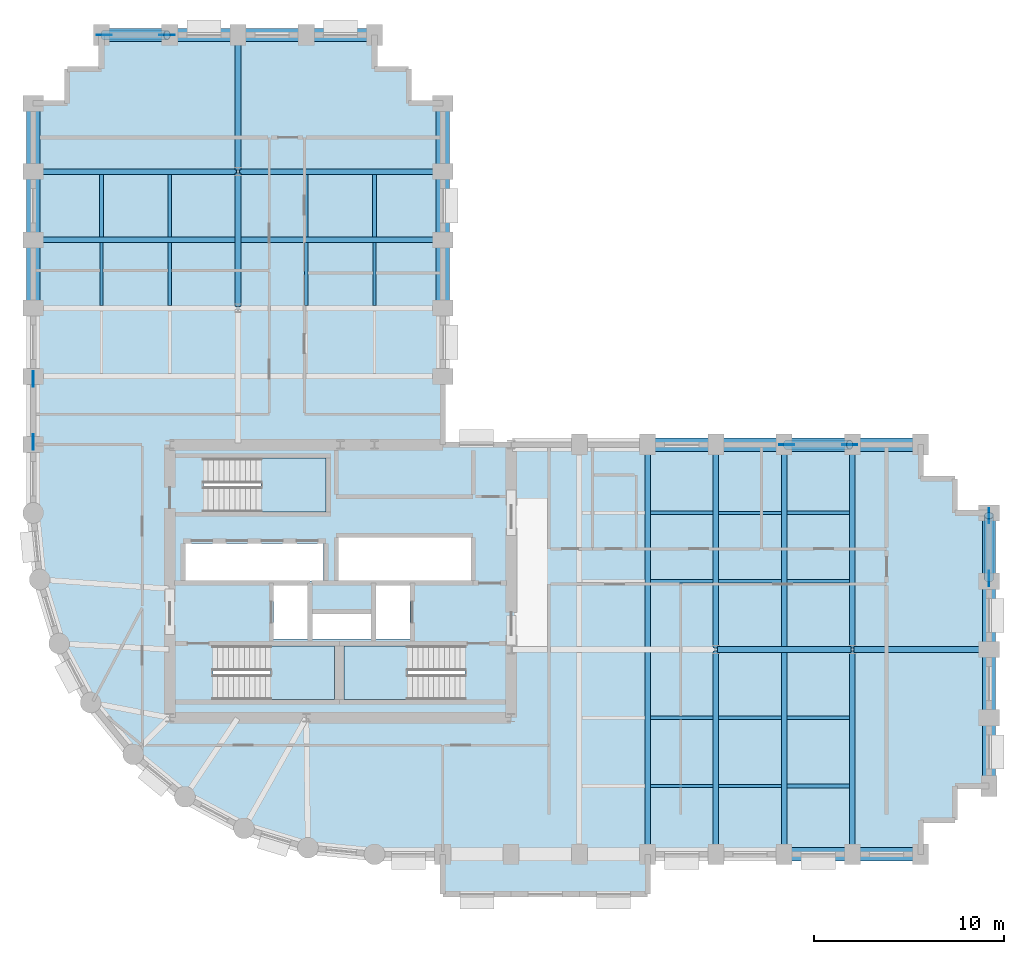
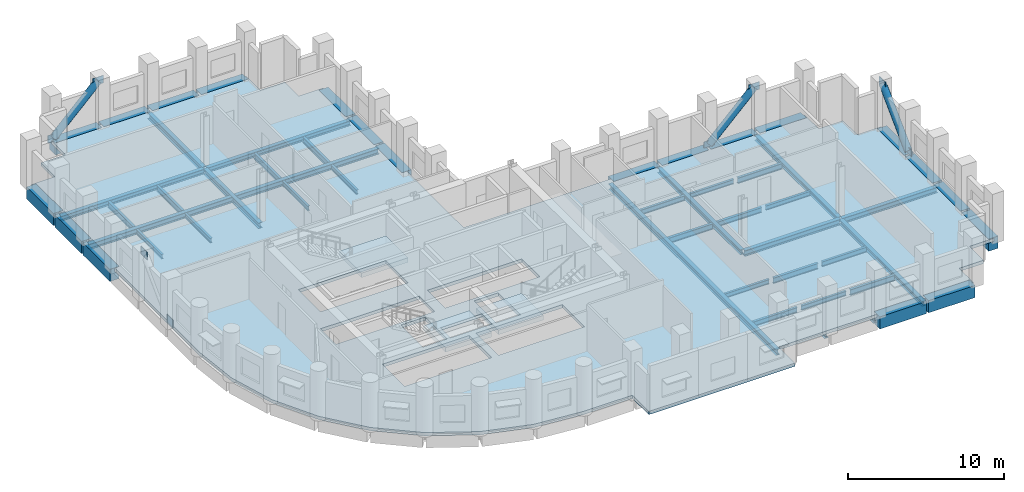
# One storey, part 2 of 10: 53 beams, 8 plates, 4 slabs, 3 members, 3 elements without a shape of their own.
"""IFC4 building model written with IfcOpenShell, lengths in metres."""

from ifc_helpers import new_model, si_unit, direction, frame, origin, origin_2d, place, context, subcontext, project, spatial, polyline, rectangle, hollow_circle, i_section, outline, extrude, material, layer, layer_set, material_profile, profile_set, type_object, element, aggregate, save


model = new_model("IFC4")

# Units and contexts
model_context = context("Model", 3, precision=1e-05, world=origin(), true_north=direction((0.0, 1.0)))
body_context = subcontext(model_context, "Body", "Model", "MODEL_VIEW")
ifc_project = project(units=[si_unit("LENGTHUNIT", "METRE"), si_unit("AREAUNIT", "SQUARE_METRE"), si_unit("VOLUMEUNIT", "CUBIC_METRE"), si_unit("PLANEANGLEUNIT", "RADIAN"), si_unit("MASSUNIT", "GRAM", prefix="KILO")], contexts=[model_context])

# Site, building, storey
site_placement = place(None, origin())
site = spatial("IfcSite", under=ifc_project, at=site_placement, CompositionType="ELEMENT")
building_placement = place(site_placement, origin())
building = spatial("IfcBuilding", under=site, at=building_placement, Name="Solnavia Interchange Tower", CompositionType="ELEMENT")
storey_placement = place(building_placement, frame((0.0, 0.0, 95.699951171875)))
storey = spatial("IfcBuildingStorey", under=building, at=storey_placement, Name="L23", CompositionType="ELEMENT", Elevation=95.699951171875)

# Beams
ifc_material_1 = material(Name="Steel S460", Category="steel")
ifc_material_profile_1 = material_profile(ifc_material_1, i_section(OverallWidth=0.300048828125, OverallDepth=0.449951171875, WebThickness=0.013916015625, FlangeThickness=0.02587890625, FilletRadius=0.027099609375, at=origin_2d()), Name="HEB 450")
ifc_profile_set_1 = profile_set([ifc_material_profile_1], Name="Steel S460")
beam_type_1 = type_object("IfcBeamType", Name="Beam-Girder-HEB450", PredefinedType="BEAM", material=ifc_profile_set_1)
for number, where, z_axis, x_axis, name in (
    (1, (43.280029296875, 14.39990234375, -0.474853515625), (1.0, 0.0, 0.0), (0.0, 1.0, 0.0), "GRD-L23-ES02 East wing spine girder"),
    (2, (50.47998046875, 14.39990234375, -0.474853515625), (1.0, 0.0, 0.0), (0.0, 1.0, 0.0), "GRD-L23-ES03 East wing spine girder"),
    (3, (18.0, 32.47998046875, -0.474853515625), (0.0, 1.0, 0.0), (-1.0, 0.0, 0.0), "GRD-L23-NS12 North wing spine girder"),
    (4, (18.0, 39.679931640625, -0.474853515625), (0.0, 1.0, 0.0), (-1.0, 0.0, 0.0), "GRD-L23-NS13 North wing spine girder"),
):
    element("IfcBeam", number, at=place(storey_placement, frame(where, z_axis=z_axis, x_axis=x_axis)), inside=storey, type_object=beam_type_1, Name=name, PredefinedType="BEAM", context=body_context, shape_type="SweptSolid", body=[
        extrude(i_section(OverallWidth=0.300048828125, OverallDepth=0.449951171875, WebThickness=0.013916015625, FlangeThickness=0.02587890625, FilletRadius=0.027099609375, at=origin_2d()), origin(), (0.0, 0.0, 1.0), 7.0400390625),
    ])
ifc_material_2 = material(Name="Steel S355", Category="steel")
ifc_material_profile_2 = material_profile(ifc_material_2, i_section(OverallWidth=0.169921875, OverallDepth=0.360107421875, WebThickness=0.008056640625, FlangeThickness=0.0126953125, FilletRadius=0.01806640625, at=origin_2d()), Name="IPE 360")
ifc_profile_set_2 = profile_set([ifc_material_profile_2], Name="Steel S355")
beam_type_2 = type_object("IfcBeamType", Name="Beam-Joist-IPE360", PredefinedType="JOIST", material=ifc_profile_set_2)
beam_1_placement = place(storey_placement, frame((43.35009765625, 7.199951171875, -0.429931640625), z_axis=(1.0, 0.0, 0.0), x_axis=(0.0, 1.0, 0.0)))
element("IfcBeam", 5, at=beam_1_placement, inside=storey, type_object=beam_type_2, Name="JST-L23-E03 East wing secondary joist", PredefinedType="JOIST", context=body_context, shape_type="SweptSolid", body=[
    extrude(i_section(OverallWidth=0.169921875, OverallDepth=0.360107421875, WebThickness=0.008056640625, FlangeThickness=0.0126953125, FilletRadius=0.01806640625, at=origin_2d()), origin(), (0.0, 0.0, 1.0), 3.2998046875),
])
for number, where, z_axis, x_axis, name in (
    (6, (39.75, 10.800048828125, -0.429931640625), (1.0, 0.0, 0.0), (0.0, 1.0, 0.0), "JST-L23-E06 East wing secondary joist"),
    (7, (46.949951171875, 18.0, -0.429931640625), (1.0, 0.0, 0.0), (0.0, 1.0, 0.0), "JST-L23-E12 East wing secondary joist"),
):
    element("IfcBeam", number, at=place(storey_placement, frame(where, z_axis=z_axis, x_axis=x_axis)), inside=storey, type_object=beam_type_2, Name=name, PredefinedType="JOIST", context=body_context, shape_type="SweptSolid", body=[
        extrude(i_section(OverallWidth=0.169921875, OverallDepth=0.360107421875, WebThickness=0.008056640625, FlangeThickness=0.0126953125, FilletRadius=0.01806640625, at=origin_2d()), origin(), (0.0, 0.0, 1.0), 3.300048828125),
    ])
beam_2_placement = place(storey_placement, frame((43.35009765625, 21.60009765625, -0.429931640625), z_axis=(1.0, 0.0, 0.0), x_axis=(0.0, 1.0, 0.0)))
element("IfcBeam", 8, at=beam_2_placement, inside=storey, type_object=beam_type_2, Name="JST-L23-E15 East wing secondary joist", PredefinedType="JOIST", context=body_context, shape_type="SweptSolid", body=[
    extrude(i_section(OverallWidth=0.169921875, OverallDepth=0.360107421875, WebThickness=0.008056640625, FlangeThickness=0.0126953125, FilletRadius=0.01806640625, at=origin_2d()), origin(), (0.0, 0.0, 1.0), 3.2998046875),
])
for number, where, z_axis, x_axis, name in (
    (9, (10.800048828125, 32.550048828125, -0.429931640625), (0.0, 1.0, 0.0), (-1.0, 0.0, 0.0), "JST-L23-N18 North wing secondary joist"),
    (10, (14.39990234375, 32.550048828125, -0.429931640625), (0.0, 1.0, 0.0), (-1.0, 0.0, 0.0), "JST-L23-N21 North wing secondary joist"),
    (11, (21.60009765625, 32.550048828125, -0.429931640625), (0.0, 1.0, 0.0), (-1.0, 0.0, 0.0), "JST-L23-N24 North wing secondary joist"),
    (12, (25.199951171875, 32.550048828125, -0.429931640625), (0.0, 1.0, 0.0), (-1.0, 0.0, 0.0), "JST-L23-N27 North wing secondary joist"),
):
    element("IfcBeam", number, at=place(storey_placement, frame(where, z_axis=z_axis, x_axis=x_axis)), inside=storey, type_object=beam_type_2, Name=name, PredefinedType="JOIST", context=body_context, shape_type="SweptSolid", body=[
        extrude(i_section(OverallWidth=0.169921875, OverallDepth=0.360107421875, WebThickness=0.008056640625, FlangeThickness=0.0126953125, FilletRadius=0.01806640625, at=origin_2d()), origin(), (0.0, 0.0, 1.0), 3.300048828125),
    ])
ifc_material_profile_3 = material_profile(ifc_material_2, i_section(OverallWidth=0.179931640625, OverallDepth=0.39990234375, WebThickness=0.008544921875, FlangeThickness=0.013427734375, FilletRadius=0.02099609375, at=origin_2d()), Name="IPE 400")
ifc_profile_set_3 = profile_set([ifc_material_profile_3], Name="Steel S355")
beam_type_3 = type_object("IfcBeamType", Name="Beam-Joist-IPE400", PredefinedType="JOIST", material=ifc_profile_set_3)
for number, where, z_axis, x_axis, name in (
    (13, (39.75, 7.199951171875, -0.449951171875), (1.0, 0.0, 0.0), (0.0, 1.0, 0.0), "JST-L23-E02 East wing secondary joist"),
    (14, (46.949951171875, 10.800048828125, -0.449951171875), (1.0, 0.0, 0.0), (0.0, 1.0, 0.0), "JST-L23-E08 East wing secondary joist"),
):
    element("IfcBeam", number, at=place(storey_placement, frame(where, z_axis=z_axis, x_axis=x_axis)), inside=storey, type_object=beam_type_3, Name=name, PredefinedType="JOIST", context=body_context, shape_type="SweptSolid", body=[
        extrude(i_section(OverallWidth=0.179931640625, OverallDepth=0.39990234375, WebThickness=0.008544921875, FlangeThickness=0.013427734375, FilletRadius=0.02099609375, at=origin_2d()), origin(), (0.0, 0.0, 1.0), 3.300048828125),
    ])
beam_3_placement = place(storey_placement, frame((43.35009765625, 18.0, -0.449951171875), z_axis=(1.0, 0.0, 0.0), x_axis=(0.0, 1.0, 0.0)))
element("IfcBeam", 15, at=beam_3_placement, inside=storey, type_object=beam_type_3, Name="JST-L23-E11 East wing secondary joist", PredefinedType="JOIST", context=body_context, shape_type="SweptSolid", body=[
    extrude(i_section(OverallWidth=0.179931640625, OverallDepth=0.39990234375, WebThickness=0.008544921875, FlangeThickness=0.013427734375, FilletRadius=0.02099609375, at=origin_2d()), origin(), (0.0, 0.0, 1.0), 3.2998046875),
])
beam_4_placement = place(storey_placement, frame((39.75, 21.60009765625, -0.449951171875), z_axis=(1.0, 0.0, 0.0), x_axis=(0.0, 1.0, 0.0)))
element("IfcBeam", 16, at=beam_4_placement, inside=storey, type_object=beam_type_3, Name="JST-L23-E14 East wing secondary joist", PredefinedType="JOIST", context=body_context, shape_type="SweptSolid", body=[
    extrude(i_section(OverallWidth=0.179931640625, OverallDepth=0.39990234375, WebThickness=0.008544921875, FlangeThickness=0.013427734375, FilletRadius=0.02099609375, at=origin_2d()), origin(), (0.0, 0.0, 1.0), 3.300048828125),
])
ifc_material_profile_4 = material_profile(ifc_material_2, i_section(OverallWidth=0.18994140625, OverallDepth=0.449951171875, WebThickness=0.009521484375, FlangeThickness=0.0146484375, FilletRadius=0.02099609375, at=origin_2d()), Name="IPE 450")
ifc_profile_set_4 = profile_set([ifc_material_profile_4], Name="Steel S355")
beam_type_4 = type_object("IfcBeamType", Name="Beam-Joist-IPE450", PredefinedType="JOIST", material=ifc_profile_set_4)
beam_5_placement = place(storey_placement, frame((46.949951171875, 7.199951171875, -0.474853515625), z_axis=(1.0, 0.0, 0.0), x_axis=(0.0, 1.0, 0.0)))
element("IfcBeam", 17, at=beam_5_placement, inside=storey, type_object=beam_type_4, Name="JST-L23-E04 East wing secondary joist", PredefinedType="JOIST", context=body_context, shape_type="SweptSolid", body=[
    extrude(i_section(OverallWidth=0.18994140625, OverallDepth=0.449951171875, WebThickness=0.009521484375, FlangeThickness=0.0146484375, FilletRadius=0.02099609375, at=origin_2d()), origin(), (0.0, 0.0, 1.0), 3.300048828125),
])
beam_6_placement = place(storey_placement, frame((43.35009765625, 10.800048828125, -0.474853515625), z_axis=(1.0, 0.0, 0.0), x_axis=(0.0, 1.0, 0.0)))
element("IfcBeam", 18, at=beam_6_placement, inside=storey, type_object=beam_type_4, Name="JST-L23-E07 East wing secondary joist", PredefinedType="JOIST", context=body_context, shape_type="SweptSolid", body=[
    extrude(i_section(OverallWidth=0.18994140625, OverallDepth=0.449951171875, WebThickness=0.009521484375, FlangeThickness=0.0146484375, FilletRadius=0.02099609375, at=origin_2d()), origin(), (0.0, 0.0, 1.0), 3.2998046875),
])
for number, where, z_axis, x_axis, name in (
    (19, (39.75, 18.0, -0.474853515625), (1.0, 0.0, 0.0), (0.0, 1.0, 0.0), "JST-L23-E10 East wing secondary joist"),
    (20, (46.949951171875, 21.60009765625, -0.474853515625), (1.0, 0.0, 0.0), (0.0, 1.0, 0.0), "JST-L23-E16 East wing secondary joist"),
    (21, (10.800048828125, 36.14990234375, -0.474853515625), (0.0, 1.0, 0.0), (-1.0, 0.0, 0.0), "JST-L23-N19 North wing secondary joist"),
    (22, (14.39990234375, 36.14990234375, -0.474853515625), (0.0, 1.0, 0.0), (-1.0, 0.0, 0.0), "JST-L23-N22 North wing secondary joist"),
    (23, (21.60009765625, 36.14990234375, -0.474853515625), (0.0, 1.0, 0.0), (-1.0, 0.0, 0.0), "JST-L23-N25 North wing secondary joist"),
    (24, (25.199951171875, 36.14990234375, -0.474853515625), (0.0, 1.0, 0.0), (-1.0, 0.0, 0.0), "JST-L23-N28 North wing secondary joist"),
):
    element("IfcBeam", number, at=place(storey_placement, frame(where, z_axis=z_axis, x_axis=x_axis)), inside=storey, type_object=beam_type_4, Name=name, PredefinedType="JOIST", context=body_context, shape_type="SweptSolid", body=[
        extrude(i_section(OverallWidth=0.18994140625, OverallDepth=0.449951171875, WebThickness=0.009521484375, FlangeThickness=0.0146484375, FilletRadius=0.02099609375, at=origin_2d()), origin(), (0.0, 0.0, 1.0), 3.300048828125),
    ])
ifc_material_profile_5 = material_profile(ifc_material_2, i_section(OverallWidth=0.300048828125, OverallDepth=0.389892578125, WebThickness=0.010986328125, FlangeThickness=0.01904296875, FilletRadius=0.027099609375, at=origin_2d()), Name="HEA 400")
ifc_profile_set_5 = profile_set([ifc_material_profile_5], Name="Steel S355")
beam_type_5 = type_object("IfcBeamType", Name="Beam-Primary-HEA400", PredefinedType="BEAM", material=ifc_profile_set_5)
for number, where, z_axis, x_axis, name in (
    (25, (43.199951171875, 3.679931640625, -0.445068359375), (0.0, 1.0, 0.0), (-1.0, 0.0, 0.0), "GRD-L23-EW06 East wing primary floor girder"),
    (26, (43.199951171875, 14.47998046875, -0.445068359375), (0.0, 1.0, 0.0), (-1.0, 0.0, 0.0), "GRD-L23-EW07 East wing primary floor girder"),
    (27, (50.39990234375, 3.679931640625, -0.445068359375), (0.0, 1.0, 0.0), (-1.0, 0.0, 0.0), "GRD-L23-EW09 East wing primary floor girder"),
    (28, (50.39990234375, 14.47998046875, -0.445068359375), (0.0, 1.0, 0.0), (-1.0, 0.0, 0.0), "GRD-L23-EW10 East wing primary floor girder"),
):
    element("IfcBeam", number, at=place(storey_placement, frame(where, z_axis=z_axis, x_axis=x_axis)), inside=storey, type_object=beam_type_5, Name=name, PredefinedType="BEAM", context=body_context, shape_type="SweptSolid", body=[
        extrude(i_section(OverallWidth=0.300048828125, OverallDepth=0.389892578125, WebThickness=0.010986328125, FlangeThickness=0.01904296875, FilletRadius=0.027099609375, at=origin_2d()), origin(), (0.0, 0.0, 1.0), 10.64013671875),
    ])
for number, where, z_axis, x_axis, name in (
    (29, (7.280029296875, 39.60009765625, -0.445068359375), (1.0, 0.0, 0.0), (0.0, 1.0, 0.0), "GRD-L23-NW18 North wing primary floor girder"),
    (30, (18.080078125, 39.60009765625, -0.445068359375), (1.0, 0.0, 0.0), (0.0, 1.0, 0.0), "GRD-L23-NW19 North wing primary floor girder"),
):
    element("IfcBeam", number, at=place(storey_placement, frame(where, z_axis=z_axis, x_axis=x_axis)), inside=storey, type_object=beam_type_5, Name=name, PredefinedType="BEAM", context=body_context, shape_type="SweptSolid", body=[
        extrude(i_section(OverallWidth=0.300048828125, OverallDepth=0.389892578125, WebThickness=0.010986328125, FlangeThickness=0.01904296875, FilletRadius=0.027099609375, at=origin_2d()), origin(), (0.0, 0.0, 1.0), 10.639892578125),
    ])
ifc_material_profile_6 = material_profile(ifc_material_2, i_section(OverallWidth=0.300048828125, OverallDepth=0.43994140625, WebThickness=0.011474609375, FlangeThickness=0.02099609375, FilletRadius=0.027099609375, at=origin_2d()), Name="HEA 450")
ifc_profile_set_6 = profile_set([ifc_material_profile_6], Name="Steel S355")
beam_type_6 = type_object("IfcBeamType", Name="Beam-Primary-HEA450", PredefinedType="BEAM", material=ifc_profile_set_6)
for number, where, z_axis, x_axis, name in (
    (31, (39.60009765625, 3.679931640625, -0.469970703125), (0.0, 1.0, 0.0), (-1.0, 0.0, 0.0), "GRD-L23-EW05 East wing primary floor girder"),
    (32, (46.800048828125, 3.679931640625, -0.469970703125), (0.0, 1.0, 0.0), (-1.0, 0.0, 0.0), "GRD-L23-EW08 East wing primary floor girder"),
):
    element("IfcBeam", number, at=place(storey_placement, frame(where, z_axis=z_axis, x_axis=x_axis)), inside=storey, type_object=beam_type_6, Name=name, PredefinedType="BEAM", context=body_context, shape_type="SweptSolid", body=[
        extrude(i_section(OverallWidth=0.300048828125, OverallDepth=0.43994140625, WebThickness=0.011474609375, FlangeThickness=0.02099609375, FilletRadius=0.027099609375, at=origin_2d()), origin(), (0.0, 0.0, 1.0), 21.440185546875),
    ])
beam_7_placement = place(storey_placement, frame((7.280029296875, 36.0, -0.469970703125), z_axis=(1.0, 0.0, 0.0), x_axis=(0.0, 1.0, 0.0)))
element("IfcBeam", 33, at=beam_7_placement, inside=storey, type_object=beam_type_6, Name="GRD-L23-NW17 North wing primary floor girder", PredefinedType="BEAM", context=body_context, shape_type="SweptSolid", body=[
    extrude(i_section(OverallWidth=0.300048828125, OverallDepth=0.43994140625, WebThickness=0.011474609375, FlangeThickness=0.02099609375, FilletRadius=0.027099609375, at=origin_2d()), origin(), (0.0, 0.0, 1.0), 21.43994140625),
])
ifc_material_3 = material(Name="Concrete C50/60", Category="concrete")
ifc_material_profile_7 = material_profile(ifc_material_3, rectangle(XDim=0.699951171875, YDim=0.949951171875, at=origin_2d()), Name="RC 700x950")
ifc_profile_set_7 = profile_set([ifc_material_profile_7], Name="Concrete C50/60")
beam_type_7 = type_object("IfcBeamType", Name="Beam-Spandrel-RC700x950", PredefinedType="SPANDREL", material=ifc_profile_set_7)
beam_8_placement = place(storey_placement, frame((46.8798828125, 3.60009765625, -0.474853515625), z_axis=(1.0, 0.0, 0.0), x_axis=(0.0, 1.0, 0.0)))
element("IfcBeam", 34, at=beam_8_placement, inside=storey, type_object=beam_type_7, Name="SPB-L23-15 Framed-tube perimeter spandrel beam", PredefinedType="SPANDREL", context=body_context, shape_type="SweptSolid", body=[
    extrude(rectangle(XDim=0.699951171875, YDim=0.949951171875, at=origin_2d()), origin(), (0.0, 0.0, 1.0), 3.440185546875),
])
for number, where, z_axis, x_axis, name in (
    (35, (50.47998046875, 3.60009765625, -0.474853515625), (1.0, 0.0, 0.0), (0.0, 1.0, 0.0), "SPB-L23-16 Framed-tube perimeter spandrel beam"),
    (36, (57.60009765625, 7.280029296875, -0.474853515625), (0.0, 1.0, 0.0), (-1.0, 0.0, 0.0), "SPB-L23-17 Framed-tube perimeter spandrel beam"),
):
    element("IfcBeam", number, at=place(storey_placement, frame(where, z_axis=z_axis, x_axis=x_axis)), inside=storey, type_object=beam_type_7, Name=name, PredefinedType="SPANDREL", context=body_context, shape_type="SweptSolid", body=[
        extrude(rectangle(XDim=0.699951171875, YDim=0.949951171875, at=origin_2d()), origin(), (0.0, 0.0, 1.0), 3.43994140625),
    ])
beam_9_placement = place(storey_placement, frame((57.60009765625, 10.8798828125, -0.474853515625), z_axis=(0.0, 1.0, 0.0), x_axis=(-1.0, 0.0, 0.0)))
element("IfcBeam", 37, at=beam_9_placement, inside=storey, type_object=beam_type_7, Name="SPB-L23-18 Framed-tube perimeter spandrel beam", PredefinedType="SPANDREL", context=body_context, shape_type="SweptSolid", body=[
    extrude(rectangle(XDim=0.699951171875, YDim=0.949951171875, at=origin_2d()), origin(), (0.0, 0.0, 1.0), 3.440185546875),
])
for number, where, z_axis, x_axis, name in (
    (38, (57.60009765625, 14.47998046875, -0.474853515625), (0.0, 1.0, 0.0), (-1.0, 0.0, 0.0), "SPB-L23-19 Framed-tube perimeter spandrel beam"),
    (39, (57.60009765625, 18.080078125, -0.474853515625), (0.0, 1.0, 0.0), (-1.0, 0.0, 0.0), "SPB-L23-20 Framed-tube perimeter spandrel beam"),
    (40, (53.919921875, 25.199951171875, -0.474853515625), (-1.0, 0.0, 0.0), (0.0, -1.0, 0.0), "SPB-L23-21 Framed-tube perimeter spandrel beam"),
):
    element("IfcBeam", number, at=place(storey_placement, frame(where, z_axis=z_axis, x_axis=x_axis)), inside=storey, type_object=beam_type_7, Name=name, PredefinedType="SPANDREL", context=body_context, shape_type="SweptSolid", body=[
        extrude(rectangle(XDim=0.699951171875, YDim=0.949951171875, at=origin_2d()), origin(), (0.0, 0.0, 1.0), 3.43994140625),
    ])
beam_10_placement = place(storey_placement, frame((50.320068359375, 25.199951171875, -0.474853515625), z_axis=(-1.0, 0.0, 0.0), x_axis=(0.0, -1.0, 0.0)))
element("IfcBeam", 41, at=beam_10_placement, inside=storey, type_object=beam_type_7, Name="SPB-L23-22 Framed-tube perimeter spandrel beam", PredefinedType="SPANDREL", context=body_context, shape_type="SweptSolid", body=[
    extrude(rectangle(XDim=0.699951171875, YDim=0.949951171875, at=origin_2d()), origin(), (0.0, 0.0, 1.0), 3.440185546875),
])
beam_11_placement = place(storey_placement, frame((46.719970703125, 25.199951171875, -0.474853515625), z_axis=(-1.0, 0.0, 0.0), x_axis=(0.0, -1.0, 0.0)))
element("IfcBeam", 42, at=beam_11_placement, inside=storey, type_object=beam_type_7, Name="SPB-L23-23 Framed-tube perimeter spandrel beam", PredefinedType="SPANDREL", context=body_context, shape_type="SweptSolid", body=[
    extrude(rectangle(XDim=0.699951171875, YDim=0.949951171875, at=origin_2d()), origin(), (0.0, 0.0, 1.0), 3.43994140625),
])
beam_12_placement = place(storey_placement, frame((43.1201171875, 25.199951171875, -0.474853515625), z_axis=(-1.0, 0.0, 0.0), x_axis=(0.0, -1.0, 0.0)))
element("IfcBeam", 43, at=beam_12_placement, inside=storey, type_object=beam_type_7, Name="SPB-L23-24 Framed-tube perimeter spandrel beam", PredefinedType="SPANDREL", context=body_context, shape_type="SweptSolid", body=[
    extrude(rectangle(XDim=0.699951171875, YDim=0.949951171875, at=origin_2d()), origin(), (0.0, 0.0, 1.0), 3.440185546875),
])
for number, where, z_axis, x_axis, name in (
    (44, (28.800048828125, 32.47998046875, -0.474853515625), (0.0, 1.0, 0.0), (-1.0, 0.0, 0.0), "SPB-L23-28 Framed-tube perimeter spandrel beam"),
    (45, (28.800048828125, 36.080078125, -0.474853515625), (0.0, 1.0, 0.0), (-1.0, 0.0, 0.0), "SPB-L23-29 Framed-tube perimeter spandrel beam"),
):
    element("IfcBeam", number, at=place(storey_placement, frame(where, z_axis=z_axis, x_axis=x_axis)), inside=storey, type_object=beam_type_7, Name=name, PredefinedType="SPANDREL", context=body_context, shape_type="SweptSolid", body=[
        extrude(rectangle(XDim=0.699951171875, YDim=0.949951171875, at=origin_2d()), origin(), (0.0, 0.0, 1.0), 3.43994140625),
    ])
for number, where, z_axis, x_axis, name in (
    (46, (28.800048828125, 39.679931640625, -0.474853515625), (0.0, 1.0, 0.0), (-1.0, 0.0, 0.0), "SPB-L23-30 Framed-tube perimeter spandrel beam"),
    (47, (25.1201171875, 46.800048828125, -0.474853515625), (-1.0, 0.0, 0.0), (0.0, -1.0, 0.0), "SPB-L23-31 Framed-tube perimeter spandrel beam"),
):
    element("IfcBeam", number, at=place(storey_placement, frame(where, z_axis=z_axis, x_axis=x_axis)), inside=storey, type_object=beam_type_7, Name=name, PredefinedType="SPANDREL", context=body_context, shape_type="SweptSolid", body=[
        extrude(rectangle(XDim=0.699951171875, YDim=0.949951171875, at=origin_2d()), origin(), (0.0, 0.0, 1.0), 3.440185546875),
    ])
for number, where, z_axis, x_axis, name in (
    (48, (21.52001953125, 46.800048828125, -0.474853515625), (-1.0, 0.0, 0.0), (0.0, -1.0, 0.0), "SPB-L23-32 Framed-tube perimeter spandrel beam"),
    (49, (17.919921875, 46.800048828125, -0.474853515625), (-1.0, 0.0, 0.0), (0.0, -1.0, 0.0), "SPB-L23-33 Framed-tube perimeter spandrel beam"),
):
    element("IfcBeam", number, at=place(storey_placement, frame(where, z_axis=z_axis, x_axis=x_axis)), inside=storey, type_object=beam_type_7, Name=name, PredefinedType="SPANDREL", context=body_context, shape_type="SweptSolid", body=[
        extrude(rectangle(XDim=0.699951171875, YDim=0.949951171875, at=origin_2d()), origin(), (0.0, 0.0, 1.0), 3.43994140625),
    ])
for number, where, z_axis, x_axis, name in (
    (50, (14.320068359375, 46.800048828125, -0.474853515625), (-1.0, 0.0, 0.0), (0.0, -1.0, 0.0), "SPB-L23-34 Framed-tube perimeter spandrel beam"),
    (51, (7.199951171875, 43.1201171875, -0.474853515625), (0.0, -1.0, 0.0), (1.0, 0.0, 0.0), "SPB-L23-35 Framed-tube perimeter spandrel beam"),
):
    element("IfcBeam", number, at=place(storey_placement, frame(where, z_axis=z_axis, x_axis=x_axis)), inside=storey, type_object=beam_type_7, Name=name, PredefinedType="SPANDREL", context=body_context, shape_type="SweptSolid", body=[
        extrude(rectangle(XDim=0.699951171875, YDim=0.949951171875, at=origin_2d()), origin(), (0.0, 0.0, 1.0), 3.440185546875),
    ])
for number, where, z_axis, x_axis, name in (
    (52, (7.199951171875, 39.52001953125, -0.474853515625), (0.0, -1.0, 0.0), (1.0, 0.0, 0.0), "SPB-L23-36 Framed-tube perimeter spandrel beam"),
    (53, (7.199951171875, 35.919921875, -0.474853515625), (0.0, -1.0, 0.0), (1.0, 0.0, 0.0), "SPB-L23-37 Framed-tube perimeter spandrel beam"),
):
    element("IfcBeam", number, at=place(storey_placement, frame(where, z_axis=z_axis, x_axis=x_axis)), inside=storey, type_object=beam_type_7, Name=name, PredefinedType="SPANDREL", context=body_context, shape_type="SweptSolid", body=[
        extrude(rectangle(XDim=0.699951171875, YDim=0.949951171875, at=origin_2d()), origin(), (0.0, 0.0, 1.0), 3.43994140625),
    ])

# Members
ifc_material_profile_8 = material_profile(ifc_material_1, hollow_circle(Radius=0.25390625, WallThickness=0.02490234375, at=origin_2d()), Name="CHS 508x25")
ifc_profile_set_8 = profile_set([ifc_material_profile_8], Name="Steel S460")
member_type = type_object("IfcMemberType", Name="Brace-Perim-CHS508", PredefinedType="BRACE", material=ifc_profile_set_8)
for number, where, z_axis, x_axis, name in (
    (54, (57.60009765625, 18.139892578125, 0.179931640625), (0.0, 0.710311792477, 0.703887176661), (-1.0, 0.0, 0.0), "BRC-L23-02 Perimeter tube diagonal brace"),
    (55, (10.93994140625, 46.800048828125, 0.179931640625), (0.710311792477, 0.0, 0.703887176661), (0.0, 1.0, 0.0), "BRC-L23-03 Perimeter tube diagonal brace"),
    (56, (46.93994140625, 25.199951171875, 0.179931640625), (0.710311792477, 0.0, 0.703887176661), (0.0, 1.0, 0.0), "BRC-L23-04 Perimeter tube diagonal brace"),
):
    element("IfcMember", number, at=place(storey_placement, frame(where, z_axis=z_axis, x_axis=x_axis)), inside=storey, type_object=member_type, Name=name, PredefinedType="BRACE", context=body_context, shape_type="SweptSolid", body=[
        extrude(hollow_circle(Radius=0.25390625, WallThickness=0.02490234375, at=origin_2d()), origin(), (0.0, 0.0, 1.0), 4.674072265625),
    ])

# Plates
ifc_layer_1 = layer(ifc_material_1, 0.035888671875)
ifc_layer_set_1 = layer_set([ifc_layer_1], Name="Steel S460")
plate_type = type_object("IfcPlateType", Name="Plate-Gusset-800x600x36", PredefinedType="USERDEFINED", material=ifc_layer_set_1)
for number, where, z_axis, x_axis, name in (
    (57, (7.199951171875, 25.340087890625, -0.1201171875), (0.0, 0.0, 1.0), (0.0, 1.0, 0.0), "PLT-L23-GP01 Perimeter brace gusset plate"),
    (58, (7.199951171875, 28.659912109375, 3.169921875), (0.0, 0.0, 1.0), (0.0, 1.0, 0.0), "PLT-L23-GP02 Perimeter brace gusset plate"),
    (59, (57.60009765625, 18.139892578125, -0.1201171875), (0.0, 0.0, 1.0), (0.0, 1.0, 0.0), "PLT-L23-GP03 Perimeter brace gusset plate"),
    (60, (57.60009765625, 21.4599609375, 3.169921875), (0.0, 0.0, 1.0), (0.0, 1.0, 0.0), "PLT-L23-GP04 Perimeter brace gusset plate"),
    (61, (10.93994140625, 46.800048828125, -0.1201171875), (0.0, 0.0, 1.0), (1.0, 0.0, 0.0), "PLT-L23-GP05 Perimeter brace gusset plate"),
    (62, (14.260009765625, 46.800048828125, 3.169921875), (0.0, 0.0, 1.0), (1.0, 0.0, 0.0), "PLT-L23-GP06 Perimeter brace gusset plate"),
    (63, (46.93994140625, 25.199951171875, -0.1201171875), (0.0, 0.0, 1.0), (1.0, 0.0, 0.0), "PLT-L23-GP07 Perimeter brace gusset plate"),
    (64, (50.260009765625, 25.199951171875, 3.169921875), (0.0, 0.0, 1.0), (1.0, 0.0, 0.0), "PLT-L23-GP08 Perimeter brace gusset plate"),
):
    element("IfcPlate", number, at=place(storey_placement, frame(where, z_axis=z_axis, x_axis=x_axis)), inside=storey, type_object=plate_type, Name=name, ObjectType="GUSSET PLATE", PredefinedType="USERDEFINED", context=body_context, shape_type="SweptSolid", body=[
        extrude(rectangle(XDim=0.800048828125, YDim=0.035888671875, at=origin_2d()), origin(), (0.0, 0.0, 1.0), 0.60009765625),
    ])

# Stair, slab
ifc_material_4 = material(Name="Concrete C40/50", Category="concrete")
stair_type = type_object("IfcStairType", Name="Stair-Dogleg-RC", PredefinedType="HALF_TURN_STAIR", material=ifc_material_4)
stair_1_placement = place(storey_placement, origin())
stair_1 = element("IfcStair", 65, at=stair_1_placement, inside=storey, type_object=stair_type, Name="L23 Core exit stair 1", PredefinedType="HALF_TURN_STAIR")
ifc_layer_2 = layer(ifc_material_4, 0.35009765625)
ifc_layer_set_2 = layer_set([ifc_layer_2], Name="Concrete C40/50")
slab_type_1 = type_object("IfcSlabType", Name="Slab-StairLanding-350", PredefinedType="LANDING", material=ifc_layer_set_2)
slab_1_placement = place(storey_placement, frame((0.0, 0.0, 1.60009765625)))
slab_1 = element("IfcSlab", 66, at=slab_1_placement, type_object=slab_type_1, Name="ST-1 landing 1", PredefinedType="LANDING", context=body_context, shape_type="SweptSolid", body=[
    extrude(outline(polyline([(19.7080078125, 11.75), (23.10009765625, 11.75), (23.10009765625, 14.590087890625), (19.7080078125, 14.590087890625), (19.7080078125, 11.75)])), origin(), (0.0, 0.0, 1.0), 0.349853515625),
])
aggregate(stair_1, [slab_1])

stair_2_placement = place(storey_placement, origin())
stair_2 = element("IfcStair", 67, at=stair_2_placement, inside=storey, type_object=stair_type, Name="L23 Core exit stair 2", PredefinedType="HALF_TURN_STAIR")
slab_2_placement = place(storey_placement, frame((0.0, 0.0, 1.60009765625)))
slab_2 = element("IfcSlab", 68, at=slab_2_placement, type_object=slab_type_1, Name="ST-2 landing 1", PredefinedType="LANDING", context=body_context, shape_type="SweptSolid", body=[
    extrude(outline(polyline([(23.60009765625, 11.75), (26.94189453125, 11.75), (26.94189453125, 14.590087890625), (23.60009765625, 14.590087890625), (23.60009765625, 11.75)])), origin(), (0.0, 0.0, 1.0), 0.349853515625),
])
aggregate(stair_2, [slab_2])

stair_3_placement = place(storey_placement, origin())
stair_3 = element("IfcStair", 69, at=stair_3_placement, inside=storey, type_object=stair_type, Name="L23 Core exit stair 3", PredefinedType="HALF_TURN_STAIR")
slab_3_placement = place(storey_placement, frame((0.0, 0.0, 1.60009765625)))
slab_3 = element("IfcSlab", 70, at=slab_3_placement, type_object=slab_type_1, Name="ST-3 landing 1", PredefinedType="LANDING", context=body_context, shape_type="SweptSolid", body=[
    extrude(outline(polyline([(19.2080078125, 21.64990234375), (22.64990234375, 21.64990234375), (22.64990234375, 24.489990234375), (19.2080078125, 24.489990234375), (19.2080078125, 21.64990234375)])), origin(), (0.0, 0.0, 1.0), 0.349853515625),
])
aggregate(stair_3, [slab_3])

# Slab
ifc_layer_3 = layer(ifc_material_4, 0.25)
ifc_layer_set_3 = layer_set([ifc_layer_3], Name="Concrete C40/50")
slab_type_2 = type_object("IfcSlabType", Name="Slab-Tower-250", PredefinedType="FLOOR", material=ifc_layer_set_3)
slab_4_placement = place(storey_placement, frame((0.0, 0.0, -0.25)))
element("IfcSlab", 71, at=slab_4_placement, inside=storey, type_object=slab_type_2, Name="SLB-L23-01 Structural floor slab", PredefinedType="FLOOR", context=body_context, shape_type="SweptSolid", body=[
    extrude(outline(polyline([(25.199951171875, 3.60009765625), (28.800048828125, 3.60009765625), (28.800048828125, 1.5), (39.60009765625, 1.5), (39.60009765625, 3.60009765625), (54.0, 3.60009765625), (54.0, 5.39990234375), (55.800048828125, 5.39990234375), (55.800048828125, 7.199951171875), (57.60009765625, 7.199951171875), (57.60009765625, 21.60009765625), (55.800048828125, 21.60009765625), (55.800048828125, 23.39990234375), (54.0, 23.39990234375), (54.0, 25.199951171875), (28.800048828125, 25.199951171875), (28.800048828125, 43.199951171875), (27.0, 43.199951171875), (27.0, 45.0), (25.199951171875, 45.0), (25.199951171875, 46.800048828125), (10.800048828125, 46.800048828125), (10.800048828125, 45.0), (9.0, 45.0), (9.0, 43.199951171875), (7.199951171875, 43.199951171875), (7.199951171875, 21.60009765625), (7.5458984375, 18.087890625), (8.570068359375, 14.7119140625), (10.23388671875, 11.60009765625), (12.471923828125, 8.8720703125), (15.199951171875, 6.634033203125), (18.31201171875, 4.969970703125), (21.68798828125, 3.946044921875), (25.199951171875, 3.60009765625)]), holes=[polyline([(16.675048828125, 11.75), (23.10009765625, 11.75), (23.10009765625, 14.590087890625), (16.675048828125, 14.590087890625), (16.675048828125, 11.75)]), polyline([(23.60009765625, 11.75), (29.97509765625, 11.75), (29.97509765625, 14.590087890625), (23.60009765625, 14.590087890625), (23.60009765625, 11.75)]), polyline([(16.175048828125, 21.64990234375), (22.64990234375, 21.64990234375), (22.64990234375, 24.489990234375), (16.175048828125, 24.489990234375), (16.175048828125, 21.64990234375)]), polyline([(19.8798828125, 14.9599609375), (21.679931640625, 14.9599609375), (21.679931640625, 17.780029296875), (19.8798828125, 17.780029296875), (19.8798828125, 14.9599609375)]), polyline([(25.280029296875, 14.9599609375), (27.080078125, 14.9599609375), (27.080078125, 17.780029296875), (25.280029296875, 17.780029296875), (25.280029296875, 14.9599609375)]), polyline([(21.919921875, 14.9599609375), (25.02001953125, 14.9599609375), (25.02001953125, 16.280029296875), (21.919921875, 16.280029296875), (21.919921875, 14.9599609375)]), polyline([(15.219970703125, 18.02001953125), (22.52001953125, 18.02001953125), (22.52001953125, 20.0), (15.219970703125, 20.0), (15.219970703125, 18.02001953125)]), polyline([(23.300048828125, 18.02001953125), (30.280029296875, 18.02001953125), (30.280029296875, 20.300048828125), (23.300048828125, 20.300048828125), (23.300048828125, 18.02001953125)])]), origin(), (0.0, 0.0, 1.0), 0.25),
])

save(model, "model.ifc")
